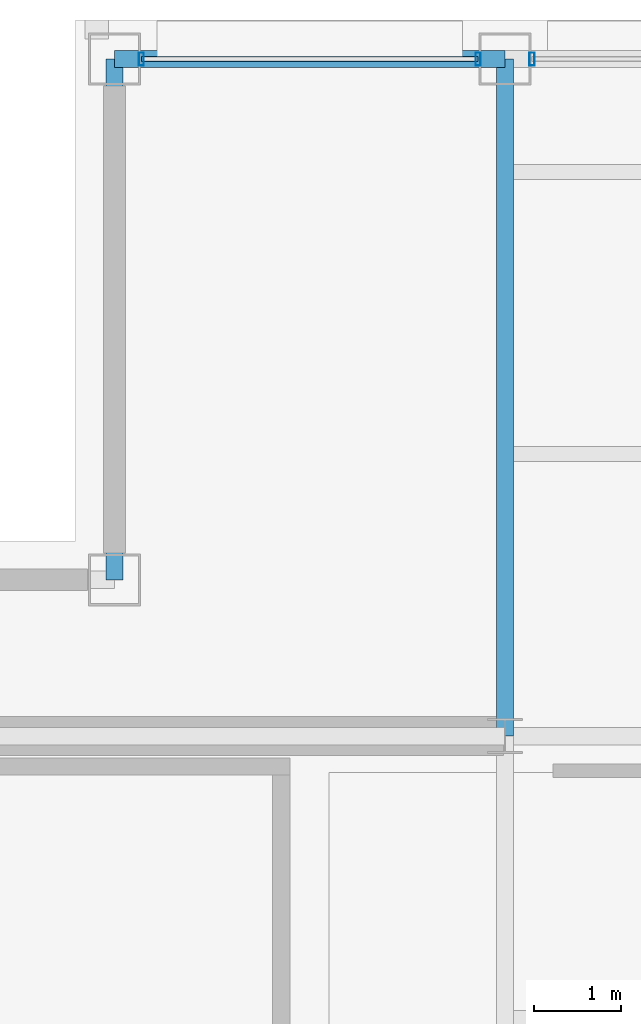
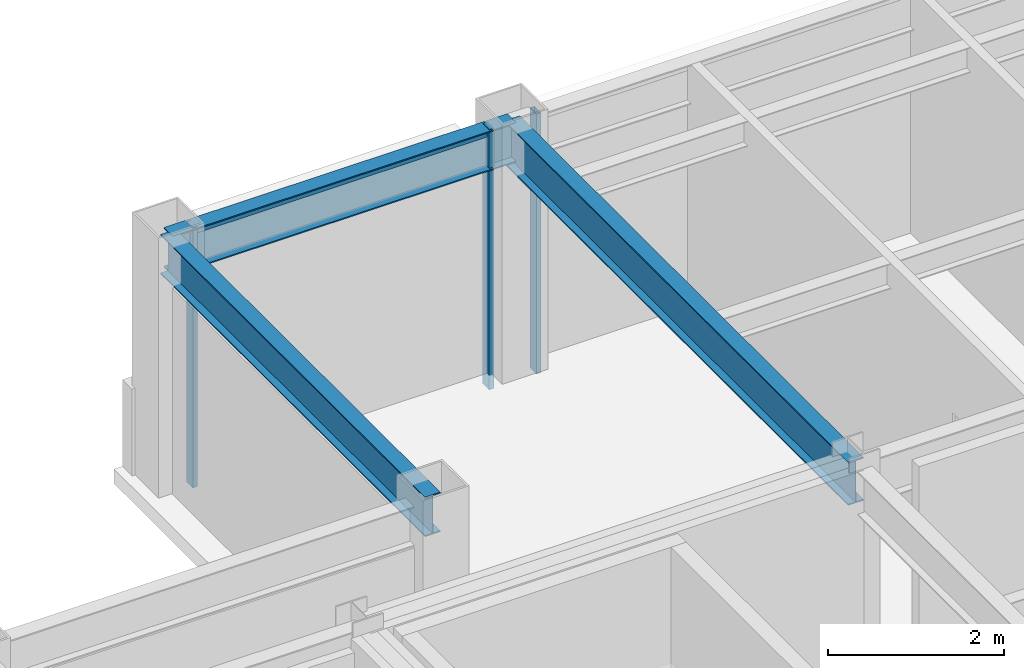
# One storey, part 16 of 24: 4 members, 3 beams, 2 elements without a shape of their own.
"""IFC4 building model written with IfcOpenShell, lengths in metres."""

import ifcopenshell
import ifcopenshell.guid

model = None  # the IFC model being written
_history = None  # IfcOwnerHistory: only IFC2X3 demands one
_inside = {}  # id of a spatial element -> (the spatial element, [elements in it])
_under = {}  # id of a project, library or spatial element -> (it, [spatial elements below it])
_declared = {}  # id of a project -> (the project, [libraries it declares])
_typed = {}  # id of a type object -> (the type object, [elements of that type])
_made_of = {}  # id of a material, layer set ... -> (it, [elements and type objects made of it])


def new_model(schema):
    """Start an empty IFC model of exactly this schema.

    Asked for "IFC4X3", IfcOpenShell would pick the latest addendum, in which some entities
    have other attributes; the version numbers below select the first issue.
    IFC2X3 requires an IfcOwnerHistory on every rooted entity: one is made here for all.
    """
    global model, _history
    if schema == "IFC4X3":
        model = ifcopenshell.file(schema_version=(4, 3, 0, 0))
    else:
        model = ifcopenshell.file(schema=schema)
    _inside.clear()
    _under.clear()
    _declared.clear()
    _typed.clear()
    _made_of.clear()
    _history = None
    if model.schema == "IFC2X3":
        org = make("IfcOrganization", Name="unknown")
        user = make(
            "IfcPersonAndOrganization",
            ThePerson=make("IfcPerson", FamilyName="unknown"),
            TheOrganization=org,
        )
        app = make(
            "IfcApplication",
            ApplicationDeveloper=org,
            Version="unknown",
            ApplicationFullName="unknown",
            ApplicationIdentifier="unknown",
        )
        _history = make(
            "IfcOwnerHistory",
            OwningUser=user,
            OwningApplication=app,
            ChangeAction="ADDED",
            CreationDate=0,
        )
    return model


def make(cls, **values):
    """One entity of the class cls with the attributes given. An attribute that is None is left unset."""
    return model.create_entity(
        cls, **{name: value for name, value in values.items() if value is not None}
    )


def rooted(cls, **values):
    """An entity with a GlobalId (a new one), such as an element, a storey or a relation."""
    return make(cls, GlobalId=ifcopenshell.guid.new(), OwnerHistory=_history, **values)


def si_unit(unit_type, name, prefix=None):
    """IfcSIUnit, for example si_unit("LENGTHUNIT", "METRE", prefix="MILLI")."""
    return make("IfcSIUnit", UnitType=unit_type, Prefix=prefix, Name=name)


def assignment(units):
    """IfcUnitAssignment: the units of a project."""
    return None if units is None else make("IfcUnitAssignment", Units=units)


def point(xyz):
    """IfcCartesianPoint."""
    return None if xyz is None else make("IfcCartesianPoint", Coordinates=xyz)


def direction(xyz):
    """IfcDirection."""
    return None if xyz is None else make("IfcDirection", DirectionRatios=xyz)


def frame(location, z_axis=None, x_axis=None):
    """IfcAxis2Placement3D, a coordinate frame: its origin and axes. An axis left out is left unset."""
    return make(
        "IfcAxis2Placement3D",
        Location=point(location),
        Axis=direction(z_axis),
        RefDirection=direction(x_axis),
    )


def frame_2d(location, x_axis=None):
    """IfcAxis2Placement2D, a coordinate frame in the plane: its origin and x axis."""
    return make(
        "IfcAxis2Placement2D", Location=point(location), RefDirection=direction(x_axis)
    )


def origin():
    """The frame at (0, 0, 0) with its axes left unset."""
    return frame((0.0, 0.0, 0.0))


def origin_2d():
    """The frame at (0, 0) in the plane with its x axis left unset."""
    return frame_2d((0.0, 0.0))


def place(relative_to, where):
    """IfcLocalPlacement: puts the frame where relative to a parent placement (None: the world)."""
    return make(
        "IfcLocalPlacement", PlacementRelTo=relative_to, RelativePlacement=where
    )


def context(
    kind, dimensions, precision=None, world=None, true_north=None, identifier=None
):
    """IfcGeometricRepresentationContext, for example the 3D "Model" context."""
    return make(
        "IfcGeometricRepresentationContext",
        ContextIdentifier=identifier,
        ContextType=kind,
        CoordinateSpaceDimension=dimensions,
        Precision=precision,
        WorldCoordinateSystem=world,
        TrueNorth=true_north,
    )


def subcontext(parent, identifier, kind, view, scale=None):
    """IfcGeometricRepresentationSubContext, for example "Body" below "Model"."""
    return make(
        "IfcGeometricRepresentationSubContext",
        ContextIdentifier=identifier,
        ContextType=kind,
        ParentContext=parent,
        TargetScale=scale,
        TargetView=view,
    )


def project(units=None, contexts=None):
    """IfcProject with its units and contexts."""
    return rooted(
        "IfcProject",
        Name="project",
        RepresentationContexts=contexts,
        UnitsInContext=assignment(units),
    )


def spatial(cls, under=None, at=None, **own):
    """A site, building, storey or space (cls), placed at a placement, below another one or the project."""
    s = rooted(cls, ObjectPlacement=at, **own)
    if under is not None:
        _under.setdefault(under.id(), (under, []))[1].append(s)
    return s


def profile(cls, at=None, kind="AREA", **sizes):
    """A parametric profile (cls). Its sizes go by their IFC names, for example OverallWidth=200.0."""
    return make(cls, ProfileType=kind, Position=at, **sizes)


def hollow_rectangle(**sizes):
    """IfcRectangleHollowProfileDef."""
    return profile("IfcRectangleHollowProfileDef", **sizes)


def i_section(**sizes):
    """IfcIShapeProfileDef."""
    return profile("IfcIShapeProfileDef", **sizes)


def extrude(swept, where, along, depth):
    """IfcExtrudedAreaSolid: the profile swept, set in the frame where, extruded along a direction by depth."""
    return make(
        "IfcExtrudedAreaSolid",
        SweptArea=swept,
        Position=where,
        ExtrudedDirection=direction(along),
        Depth=depth,
    )


def shape(context_of_items, identifier, shape_type, items):
    """IfcShapeRepresentation: the items that make up one representation, for example the "Body"."""
    return make(
        "IfcShapeRepresentation",
        ContextOfItems=context_of_items,
        RepresentationIdentifier=identifier,
        RepresentationType=shape_type,
        Items=items,
    )


def material(Name=None, Category=None):
    """IfcMaterial."""
    return make("IfcMaterial", Name=Name, Category=Category)


def layer(
    of_material, thickness, ventilated=None, Name=None, Category=None, Priority=None
):
    """IfcMaterialLayer: one layer of a wall or slab, of a material (None: an air gap)."""
    return make(
        "IfcMaterialLayer",
        Material=of_material,
        LayerThickness=thickness,
        IsVentilated=ventilated,
        Name=Name,
        Category=Category,
        Priority=Priority,
    )


def layer_set(layers, Name=None):
    """IfcMaterialLayerSet."""
    return make("IfcMaterialLayerSet", MaterialLayers=layers, LayerSetName=Name)


def material_profile(
    of_material, cross_section, Name=None, Category=None, Priority=None
):
    """IfcMaterialProfile: a cross section and its material."""
    return make(
        "IfcMaterialProfile",
        Name=Name,
        Material=of_material,
        Profile=cross_section,
        Priority=Priority,
        Category=Category,
    )


def profile_set(profiles, Name=None, composite=None):
    """IfcMaterialProfileSet."""
    return make(
        "IfcMaterialProfileSet",
        Name=Name,
        MaterialProfiles=profiles,
        CompositeProfile=composite,
    )


def made_of(thing, what):
    """Note that an element or type object is made of a material, layer set ...; save() writes the relation."""
    if what is not None:
        _made_of.setdefault(what.id(), (what, []))[1].append(thing)
    return thing


def type_object(cls, material=None, **own):
    """A type object (cls), such as IfcWallType, which elements share."""
    return made_of(rooted(cls, **own), material)


def element(
    cls,
    number,
    at=None,
    inside=None,
    cuts=None,
    type_object=None,
    material=None,
    context=None,
    identifier="Body",
    shape_type=None,
    held_by="IfcProductDefinitionShape",
    body=None,
    shapes=None,
    **own,
):
    """One element of the class cls, such as IfcWall. Its Tag is "e" and its number.

    at: its placement. inside: the storey or other place that contains it. cuts: it is an
    opening in that element (IfcRelVoidsElement). A single representation is given by context,
    identifier, shape_type and body (its items); several are given by shapes. held_by: the class
    of the entity that holds the representations. save() writes the other relations.
    """
    e = rooted(cls, Tag="e%d" % number, ObjectPlacement=at, **own)
    if body is not None:
        shapes = [shape(context, identifier, shape_type, body)]
    if shapes is not None:
        e.Representation = make(held_by, Representations=shapes)
    if inside is not None:
        _inside.setdefault(inside.id(), (inside, []))[1].append(e)
    if cuts is not None:
        rooted(
            "IfcRelVoidsElement", RelatingBuildingElement=cuts, RelatedOpeningElement=e
        )
    if type_object is not None:
        _typed.setdefault(type_object.id(), (type_object, []))[1].append(e)
    return made_of(e, material)


def aggregate(whole, parts):
    """IfcRelAggregates: a whole, such as a stair, and the parts it consists of."""
    return rooted("IfcRelAggregates", RelatingObject=whole, RelatedObjects=parts)


def save(model, path):
    """Write the relations noted so far, then the file.

    IfcRelAggregates (storeys below a building ...), IfcRelContainedInSpatialStructure (elements
    in a storey), IfcRelDefinesByType, IfcRelAssociatesMaterial and IfcRelDeclares: one each for
    every whole, place, type object, material and project.
    """
    for whole, parts in _under.values():
        aggregate(whole, parts)
    for where, things in _inside.values():
        rooted(
            "IfcRelContainedInSpatialStructure",
            RelatedElements=things,
            RelatingStructure=where,
        )
    for kind, things in _typed.values():
        rooted("IfcRelDefinesByType", RelatedObjects=things, RelatingType=kind)
    for what, things in _made_of.values():
        rooted("IfcRelAssociatesMaterial", RelatedObjects=things, RelatingMaterial=what)
    for by, libraries in _declared.values():
        rooted("IfcRelDeclares", RelatingContext=by, RelatedDefinitions=libraries)
    model.write(path)


model = new_model("IFC4")

# Units and contexts
model_context = context("Model", 3, precision=1e-05, world=origin(), true_north=direction((0.0, 1.0)))
body_context = subcontext(model_context, "Body", "Model", "MODEL_VIEW")
ifc_project = project(units=[si_unit("LENGTHUNIT", "METRE"), si_unit("AREAUNIT", "SQUARE_METRE"), si_unit("VOLUMEUNIT", "CUBIC_METRE"), si_unit("PLANEANGLEUNIT", "RADIAN"), si_unit("MASSUNIT", "GRAM", prefix="KILO")], contexts=[model_context])

# Site, building, storey
site_placement = place(None, origin())
site = spatial("IfcSite", under=ifc_project, at=site_placement, CompositionType="ELEMENT")
building_placement = place(site_placement, origin())
building = spatial("IfcBuilding", under=site, at=building_placement, Name="Brelmoor Portico Tower", CompositionType="ELEMENT")
storey_placement = place(building_placement, frame((0.0, 0.0, 261.60009765625)))
storey = spatial("IfcBuildingStorey", under=building, at=storey_placement, Name="L69", CompositionType="ELEMENT", Elevation=261.60009765625)

# Beams
ifc_material_1 = material(Name="Steel Q355B", Category="steel")
ifc_material_profile_1 = material_profile(ifc_material_1, i_section(OverallWidth=0.199951171875, OverallDepth=0.60009765625, WebThickness=0.010986328125, FlangeThickness=0.01708984375, at=origin_2d()), Name="HN 600x200x11x17")
ifc_profile_set_1 = profile_set([ifc_material_profile_1], Name="Steel Q355B")
beam_type_1 = type_object("IfcBeamType", Name="BM-PG-600", PredefinedType="BEAM", material=ifc_profile_set_1)
beam_1_placement = place(storey_placement, frame((-8.050048828125, 9.75, 3.099853515625), z_axis=(0.0, 1.0, 0.0), x_axis=(-1.0, 0.0, 0.0)))
element("IfcBeam", 1, at=beam_1_placement, inside=storey, type_object=beam_type_1, Name="L69 Primary Floor Girder PG-05", PredefinedType="BEAM", context=body_context, shape_type="SweptSolid", body=[
    extrude(i_section(OverallWidth=0.199951171875, OverallDepth=0.60009765625, WebThickness=0.010986328125, FlangeThickness=0.01708984375, at=origin_2d()), origin(), (0.0, 0.0, 1.0), 7.800048828125),
])
ifc_material_profile_2 = material_profile(ifc_material_1, i_section(OverallWidth=0.199951171875, OverallDepth=0.550048828125, WebThickness=0.010009765625, FlangeThickness=0.01611328125, at=origin_2d()), Name="HN 550x200x10x16")
ifc_profile_set_2 = profile_set([ifc_material_profile_2], Name="Steel Q355B")
beam_type_2 = type_object("IfcBeamType", Name="BM-SP-550", PredefinedType="SPANDREL", material=ifc_profile_set_2)
beam_2_placement = place(storey_placement, frame((-12.550048828125, 17.550048828125, 3.125), z_axis=(1.0, 0.0, 0.0), x_axis=(0.0, 1.0, 0.0)))
element("IfcBeam", 2, at=beam_2_placement, inside=storey, type_object=beam_type_2, Name="L69 Perimeter Spandrel Beam SP-08", PredefinedType="SPANDREL", context=body_context, shape_type="SweptSolid", body=[
    extrude(i_section(OverallWidth=0.199951171875, OverallDepth=0.550048828125, WebThickness=0.010009765625, FlangeThickness=0.01611328125, at=origin_2d()), origin(), (0.0, 0.0, 1.0), 4.5),
])
beam_3_placement = place(storey_placement, frame((-12.550048828125, 11.550048828125, 3.125), z_axis=(0.0, 1.0, 0.0), x_axis=(-1.0, 0.0, 0.0)))
element("IfcBeam", 3, at=beam_3_placement, inside=storey, type_object=beam_type_2, Name="L69 Perimeter Spandrel Beam SP-15", PredefinedType="SPANDREL", context=body_context, shape_type="SweptSolid", body=[
    extrude(i_section(OverallWidth=0.199951171875, OverallDepth=0.550048828125, WebThickness=0.010009765625, FlangeThickness=0.01611328125, at=origin_2d()), origin(), (0.0, 0.0, 1.0), 6.0),
])

# Curtain wall, members
ifc_material_2 = material(Name="Anodised Aluminium Alloy 6063-T6", Category="aluminium")
ifc_layer = layer(ifc_material_2, 0.179931640625)
ifc_layer_set = layer_set([ifc_layer], Name="Anodised Aluminium Alloy 6063-T6")
curtain_wall_type = type_object("IfcCurtainWallType", Name="CW-TOWER-Z4-XB", PredefinedType="NOTDEFINED", material=ifc_layer_set)
curtain_wall_1_placement = place(storey_placement, origin())
curtain_wall_1 = element("IfcCurtainWall", 4, at=curtain_wall_1_placement, inside=storey, type_object=curtain_wall_type, Name="L69 Curtain Wall CW-L69-02-1", PredefinedType="NOTDEFINED")
ifc_material_profile_3 = material_profile(ifc_material_2, hollow_rectangle(XDim=0.06005859375, YDim=0.14990234375, WallThickness=0.00390625, at=origin_2d()), Name="ALU MULLION 60x150")
ifc_profile_set_3 = profile_set([ifc_material_profile_3], Name="Anodised Aluminium Alloy 6063-T6")
member_type_1 = type_object("IfcMemberType", Name="MB-CW-MULL-150", PredefinedType="MULLION", material=ifc_profile_set_3)
member_1_placement = place(storey_placement, frame((-12.239990234375, 17.550048828125, -0.2001953125), z_axis=(0.0, 0.0, 1.0), x_axis=(1.0, 0.0, 0.0)))
member_1 = element("IfcMember", 5, at=member_1_placement, type_object=member_type_1, Name="CW-L69-02-1 Mullion 00", PredefinedType="MULLION", context=body_context, shape_type="SweptSolid", body=[
    extrude(hollow_rectangle(XDim=0.06005859375, YDim=0.14990234375, WallThickness=0.00390625, at=origin_2d()), origin(), (0.0, 0.0, 1.0), 3.60009765625),
])
member_2_placement = place(storey_placement, frame((-8.360107421875, 17.550048828125, -0.2001953125), z_axis=(0.0, 0.0, 1.0), x_axis=(1.0, 0.0, 0.0)))
member_2 = element("IfcMember", 6, at=member_2_placement, type_object=member_type_1, Name="CW-L69-02-1 Mullion 01", PredefinedType="MULLION", context=body_context, shape_type="SweptSolid", body=[
    extrude(hollow_rectangle(XDim=0.06005859375, YDim=0.14990234375, WallThickness=0.00390625, at=origin_2d()), origin(), (0.0, 0.0, 1.0), 3.60009765625),
])

# Curtain wall, member
curtain_wall_2_placement = place(storey_placement, origin())
curtain_wall_2 = element("IfcCurtainWall", 7, at=curtain_wall_2_placement, inside=storey, type_object=curtain_wall_type, Name="L69 Curtain Wall CW-L69-02-2", PredefinedType="NOTDEFINED")
member_3_placement = place(storey_placement, frame((-7.739990234375, 17.550048828125, -0.2001953125), z_axis=(0.0, 0.0, 1.0), x_axis=(1.0, 0.0, 0.0)))
member_3 = element("IfcMember", 8, at=member_3_placement, type_object=member_type_1, Name="CW-L69-02-2 Mullion 00", PredefinedType="MULLION", context=body_context, shape_type="SweptSolid", body=[
    extrude(hollow_rectangle(XDim=0.06005859375, YDim=0.14990234375, WallThickness=0.00390625, at=origin_2d()), origin(), (0.0, 0.0, 1.0), 3.60009765625),
])
aggregate(curtain_wall_2, [member_3])

# Member
ifc_material_profile_4 = material_profile(ifc_material_2, hollow_rectangle(XDim=0.06005859375, YDim=0.125, WallThickness=0.00341796875, at=origin_2d()), Name="ALU TRANSOM 60x125")
ifc_profile_set_4 = profile_set([ifc_material_profile_4], Name="Anodised Aluminium Alloy 6063-T6")
member_type_2 = type_object("IfcMemberType", Name="MB-CW-TRAN-125", PredefinedType="USERDEFINED", material=ifc_profile_set_4)
member_4_placement = place(storey_placement, frame((-12.239990234375, 17.550048828125, 3.33740234375), z_axis=(1.0, 0.0, 0.0), x_axis=(0.0, 1.0, 0.0)))
member_4 = element("IfcMember", 9, at=member_4_placement, type_object=member_type_2, Name="CW-L69-02-1 Transom 1-00", ObjectType="TRANSOM", PredefinedType="USERDEFINED", context=body_context, shape_type="SweptSolid", body=[
    extrude(hollow_rectangle(XDim=0.06005859375, YDim=0.125, WallThickness=0.00341796875, at=origin_2d()), origin(), (0.0, 0.0, 1.0), 3.8798828125),
])

aggregate(curtain_wall_1, [member_1, member_2, member_4])

save(model, "model.ifc")
